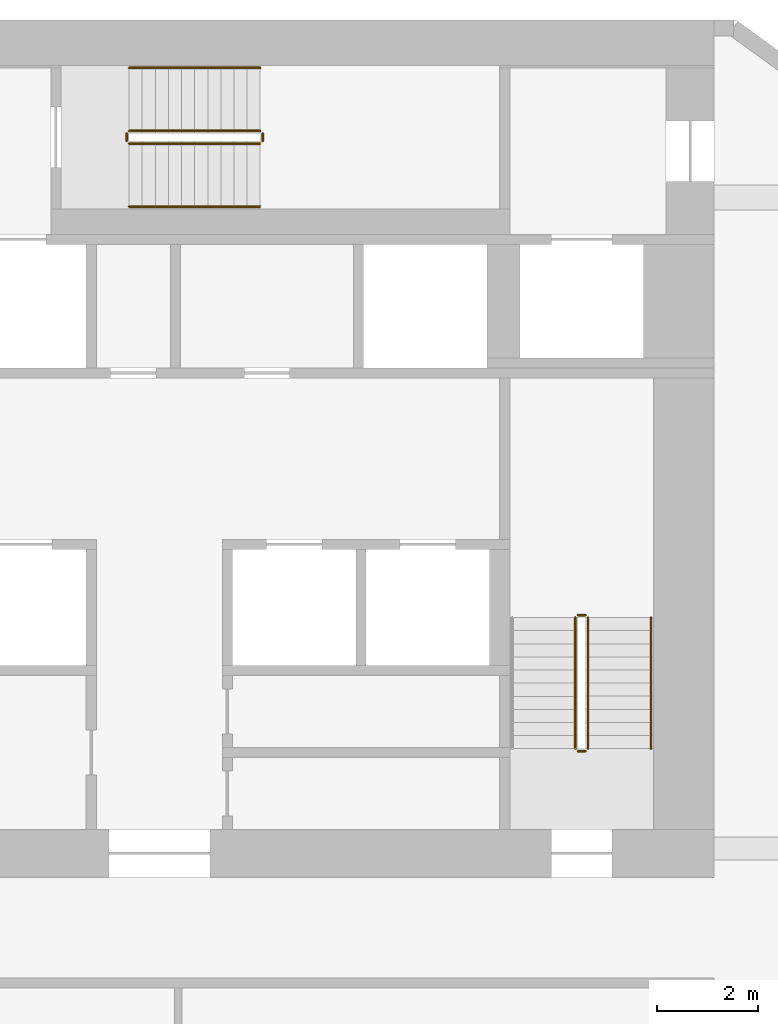
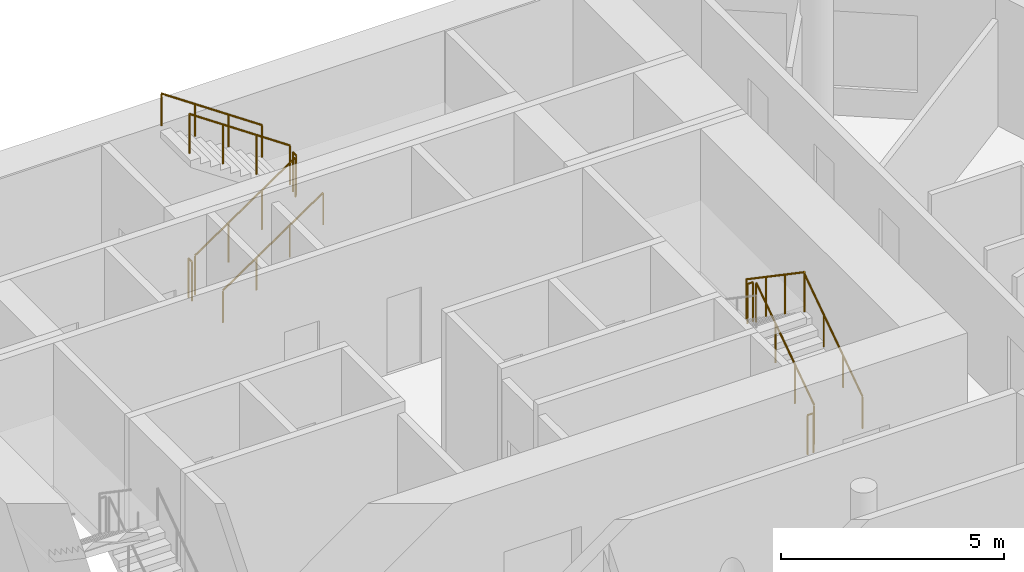
# One storey, part 9 of 9: 11 railings.
"""IFC4 building model written with IfcOpenShell, lengths in metres."""

from ifc_helpers import new_model, si_unit, direction, frame, origin, origin_2d, place, context, subcontext, project, spatial, circle, extrude, material, type_object, element, save


model = new_model("IFC4")

# Units and contexts
model_context = context("Model", 3, precision=1e-05, world=origin(), true_north=direction((0.0, 1.0)))
body_context = subcontext(model_context, "Body", "Model", "MODEL_VIEW")
ifc_project = project(units=[si_unit("LENGTHUNIT", "METRE"), si_unit("AREAUNIT", "SQUARE_METRE"), si_unit("VOLUMEUNIT", "CUBIC_METRE"), si_unit("PLANEANGLEUNIT", "RADIAN"), si_unit("MASSUNIT", "GRAM", prefix="KILO")], contexts=[model_context])

# Site, building, storey
site_placement = place(None, origin())
site = spatial("IfcSite", under=ifc_project, at=site_placement, CompositionType="ELEMENT")
building_placement = place(site_placement, origin())
building = spatial("IfcBuilding", under=site, at=building_placement, Name="White Candle Pilgrim Tower", CompositionType="ELEMENT")
storey_placement = place(building_placement, frame((0.0, 0.0, 164.199951171875)))
storey = spatial("IfcBuildingStorey", under=building, at=storey_placement, Name="L37", CompositionType="ELEMENT", Elevation=164.199951171875)

# Railings
ifc_material = material(Name="Stainless steel", Category="steel")
railing_type_1 = type_object("IfcRailingType", Name="Stair guard stainless steel 1100 mm", PredefinedType="GUARDRAIL", material=ifc_material)
railing_1_placement = place(storey_placement, frame((78.5, 73.550048828125, 0.17724609375)))
element("IfcRailing", 1, at=railing_1_placement, inside=storey, type_object=railing_type_1, Name="L37 ST2 stair guard 1", PredefinedType="GUARDRAIL", context=body_context, shape_type="SweptSolid", body=[
    extrude(circle(Radius=0.02392578125, at=origin_2d()), frame((0.0, 0.0, 1.076171875), z_axis=(0.0, 0.826215852431, 0.563353676824), x_axis=(-1.0, 0.0, 0.0)), (0.0, 0.0, 1.0), 3.146728515625),
    extrude(circle(Radius=0.02099609375, at=origin_2d()), origin(), (0.0, 0.0, 1.0), 1.052001953125),
    extrude(circle(Radius=0.02099609375, at=origin_2d()), frame((0.0, 0.86669921875, 0.5908203125)), (0.0, 0.0, 1.0), 1.052001953125),
    extrude(circle(Radius=0.02099609375, at=origin_2d()), frame((0.0, 1.733154296875, 1.181884765625)), (0.0, 0.0, 1.0), 1.052001953125),
    extrude(circle(Radius=0.02099609375, at=origin_2d()), frame((0.0, 2.599853515625, 1.772705078125)), (0.0, 0.0, 1.0), 1.052001953125),
])
railing_2_placement = place(storey_placement, frame((78.449951171875, 76.199951171875, 1.949951171875)))
element("IfcRailing", 2, at=railing_2_placement, inside=storey, type_object=railing_type_1, Name="L37 ST2 stair guard 2", PredefinedType="GUARDRAIL", context=body_context, shape_type="SweptSolid", body=[
    extrude(circle(Radius=0.02392578125, at=origin_2d()), frame((0.0, 0.0, 1.076171875), z_axis=(-1.0, 0.0, 0.0), x_axis=(0.0, -1.0, 0.0)), (0.0, 0.0, 1.0), 0.14990234375),
    extrude(circle(Radius=0.02099609375, at=origin_2d()), origin(), (0.0, 0.0, 1.0), 1.052001953125),
    extrude(circle(Radius=0.02099609375, at=origin_2d()), frame((-0.14990234375, 0.0, 0.0)), (0.0, 0.0, 1.0), 1.052001953125),
])
railing_3_placement = place(storey_placement, frame((78.25, 76.14990234375, 2.12744140625)))
element("IfcRailing", 3, at=railing_3_placement, inside=storey, type_object=railing_type_1, Name="L37 ST2 stair guard 3", PredefinedType="GUARDRAIL", context=body_context, shape_type="SweptSolid", body=[
    extrude(circle(Radius=0.02392578125, at=origin_2d()), frame((0.0, 0.0, 1.076171875), z_axis=(0.0, -0.826215852431, 0.563353676824), x_axis=(1.0, 0.0, 0.0)), (0.0, 0.0, 1.0), 3.146728515625),
    extrude(circle(Radius=0.02099609375, at=origin_2d()), origin(), (0.0, 0.0, 1.0), 1.052001953125),
    extrude(circle(Radius=0.02099609375, at=origin_2d()), frame((0.0, -0.86669921875, 0.5908203125)), (0.0, 0.0, 1.0), 1.052001953125),
    extrude(circle(Radius=0.02099609375, at=origin_2d()), frame((0.0, -1.733154296875, 1.181884765625)), (0.0, 0.0, 1.0), 1.052001953125),
    extrude(circle(Radius=0.02099609375, at=origin_2d()), frame((0.0, -2.599853515625, 1.772705078125)), (0.0, 0.0, 1.0), 1.052001953125),
])
railing_4_placement = place(storey_placement, frame((78.449951171875, 73.5, 0.0)))
element("IfcRailing", 4, at=railing_4_placement, inside=storey, type_object=railing_type_1, Name="L37 ST2 stair guard 4", PredefinedType="GUARDRAIL", context=body_context, shape_type="SweptSolid", body=[
    extrude(circle(Radius=0.02392578125, at=origin_2d()), frame((0.0, 0.0, 1.076171875), z_axis=(-1.0, 0.0, 0.0), x_axis=(0.0, -1.0, 0.0)), (0.0, 0.0, 1.0), 0.14990234375),
    extrude(circle(Radius=0.02099609375, at=origin_2d()), origin(), (0.0, 0.0, 1.0), 1.052001953125),
    extrude(circle(Radius=0.02099609375, at=origin_2d()), frame((-0.14990234375, 0.0, 0.0)), (0.0, 0.0, 1.0), 1.052001953125),
])
railing_5_placement = place(storey_placement, frame((69.39990234375, 85.550048828125, 0.17724609375)))
element("IfcRailing", 5, at=railing_5_placement, inside=storey, type_object=railing_type_1, Name="L37 ST3 stair guard 1", PredefinedType="GUARDRAIL", context=body_context, shape_type="SweptSolid", body=[
    extrude(circle(Radius=0.02392578125, at=origin_2d()), frame((0.0, 0.0, 1.076171875), z_axis=(0.826240473404, 0.0, 0.563317565952), x_axis=(0.0, 1.0, 0.0)), (0.0, 0.0, 1.0), 3.14697265625),
    extrude(circle(Radius=0.02099609375, at=origin_2d()), origin(), (0.0, 0.0, 1.0), 1.052001953125),
    extrude(circle(Radius=0.02099609375, at=origin_2d()), frame((0.86669921875, 0.0, 0.5908203125)), (0.0, 0.0, 1.0), 1.052001953125),
    extrude(circle(Radius=0.02099609375, at=origin_2d()), frame((1.7333984375, 0.0, 1.181884765625)), (0.0, 0.0, 1.0), 1.052001953125),
    extrude(circle(Radius=0.02099609375, at=origin_2d()), frame((2.60009765625, 0.0, 1.772705078125)), (0.0, 0.0, 1.0), 1.052001953125),
])
railing_6_placement = place(storey_placement, frame((72.050048828125, 85.60009765625, 1.949951171875)))
element("IfcRailing", 6, at=railing_6_placement, inside=storey, type_object=railing_type_1, Name="L37 ST3 stair guard 2", PredefinedType="GUARDRAIL", context=body_context, shape_type="SweptSolid", body=[
    extrude(circle(Radius=0.02392578125, at=origin_2d()), frame((0.0, 0.0, 1.076171875), z_axis=(0.0, 1.0, 0.0), x_axis=(-1.0, 0.0, 0.0)), (0.0, 0.0, 1.0), 0.14990234375),
    extrude(circle(Radius=0.02099609375, at=origin_2d()), origin(), (0.0, 0.0, 1.0), 1.052001953125),
    extrude(circle(Radius=0.02099609375, at=origin_2d()), frame((0.0, 0.14990234375, 0.0)), (0.0, 0.0, 1.0), 1.052001953125),
])
railing_7_placement = place(storey_placement, frame((72.0, 85.800048828125, 2.12744140625)))
element("IfcRailing", 7, at=railing_7_placement, inside=storey, type_object=railing_type_1, Name="L37 ST3 stair guard 3", PredefinedType="GUARDRAIL", context=body_context, shape_type="SweptSolid", body=[
    extrude(circle(Radius=0.02392578125, at=origin_2d()), frame((0.0, 0.0, 1.076171875), z_axis=(-0.826240473404, 0.0, 0.563317565952), x_axis=(0.0, -1.0, 0.0)), (0.0, 0.0, 1.0), 3.14697265625),
    extrude(circle(Radius=0.02099609375, at=origin_2d()), origin(), (0.0, 0.0, 1.0), 1.052001953125),
    extrude(circle(Radius=0.02099609375, at=origin_2d()), frame((-0.86669921875, 0.0, 0.5908203125)), (0.0, 0.0, 1.0), 1.052001953125),
    extrude(circle(Radius=0.02099609375, at=origin_2d()), frame((-1.7333984375, 0.0, 1.181884765625)), (0.0, 0.0, 1.0), 1.052001953125),
    extrude(circle(Radius=0.02099609375, at=origin_2d()), frame((-2.60009765625, 0.0, 1.772705078125)), (0.0, 0.0, 1.0), 1.052001953125),
])
railing_8_placement = place(storey_placement, frame((69.35009765625, 85.60009765625, 0.0)))
element("IfcRailing", 8, at=railing_8_placement, inside=storey, type_object=railing_type_1, Name="L37 ST3 stair guard 4", PredefinedType="GUARDRAIL", context=body_context, shape_type="SweptSolid", body=[
    extrude(circle(Radius=0.02392578125, at=origin_2d()), frame((0.0, 0.0, 1.076171875), z_axis=(0.0, 1.0, 0.0), x_axis=(-1.0, 0.0, 0.0)), (0.0, 0.0, 1.0), 0.14990234375),
    extrude(circle(Radius=0.02099609375, at=origin_2d()), origin(), (0.0, 0.0, 1.0), 1.052001953125),
    extrude(circle(Radius=0.02099609375, at=origin_2d()), frame((0.0, 0.14990234375, 0.0)), (0.0, 0.0, 1.0), 1.052001953125),
])
railing_type_2 = type_object("IfcRailingType", Name="Stair handrail stainless steel", PredefinedType="HANDRAIL", material=ifc_material)
railing_9_placement = place(storey_placement, frame((79.75, 73.550048828125, 0.17724609375)))
element("IfcRailing", 9, at=railing_9_placement, inside=storey, type_object=railing_type_2, Name="L37 ST2 stair handrail 1", PredefinedType="HANDRAIL", context=body_context, shape_type="SweptSolid", body=[
    extrude(circle(Radius=0.02392578125, at=origin_2d()), frame((0.0, 0.0, 0.8759765625), z_axis=(0.0, 0.826215852431, 0.563353676824), x_axis=(-1.0, 0.0, 0.0)), (0.0, 0.0, 1.0), 3.146728515625),
    extrude(circle(Radius=0.02099609375, at=origin_2d()), origin(), (0.0, 0.0, 1.0), 0.851806640625),
    extrude(circle(Radius=0.02099609375, at=origin_2d()), frame((0.0, 0.86669921875, 0.5908203125)), (0.0, 0.0, 1.0), 0.851806640625),
    extrude(circle(Radius=0.02099609375, at=origin_2d()), frame((0.0, 1.733154296875, 1.181884765625)), (0.0, 0.0, 1.0), 0.851806640625),
    extrude(circle(Radius=0.02099609375, at=origin_2d()), frame((0.0, 2.599853515625, 1.772705078125)), (0.0, 0.0, 1.0), 0.851806640625),
])
railing_10_placement = place(storey_placement, frame((69.39990234375, 84.300048828125, 0.17724609375)))
element("IfcRailing", 10, at=railing_10_placement, inside=storey, type_object=railing_type_2, Name="L37 ST3 stair handrail 1", PredefinedType="HANDRAIL", context=body_context, shape_type="SweptSolid", body=[
    extrude(circle(Radius=0.02392578125, at=origin_2d()), frame((0.0, 0.0, 0.8759765625), z_axis=(0.826240473404, 0.0, 0.563317565952), x_axis=(0.0, 1.0, 0.0)), (0.0, 0.0, 1.0), 3.14697265625),
    extrude(circle(Radius=0.02099609375, at=origin_2d()), origin(), (0.0, 0.0, 1.0), 0.851806640625),
    extrude(circle(Radius=0.02099609375, at=origin_2d()), frame((0.86669921875, 0.0, 0.5908203125)), (0.0, 0.0, 1.0), 0.851806640625),
    extrude(circle(Radius=0.02099609375, at=origin_2d()), frame((1.7333984375, 0.0, 1.181884765625)), (0.0, 0.0, 1.0), 0.851806640625),
    extrude(circle(Radius=0.02099609375, at=origin_2d()), frame((2.60009765625, 0.0, 1.772705078125)), (0.0, 0.0, 1.0), 0.851806640625),
])
railing_11_placement = place(storey_placement, frame((72.0, 87.050048828125, 2.12744140625)))
element("IfcRailing", 11, at=railing_11_placement, inside=storey, type_object=railing_type_2, Name="L37 ST3 stair handrail 2", PredefinedType="HANDRAIL", context=body_context, shape_type="SweptSolid", body=[
    extrude(circle(Radius=0.02392578125, at=origin_2d()), frame((0.0, 0.0, 0.8759765625), z_axis=(-0.826240473404, 0.0, 0.563317565952), x_axis=(0.0, -1.0, 0.0)), (0.0, 0.0, 1.0), 3.14697265625),
    extrude(circle(Radius=0.02099609375, at=origin_2d()), origin(), (0.0, 0.0, 1.0), 0.851806640625),
    extrude(circle(Radius=0.02099609375, at=origin_2d()), frame((-0.86669921875, 0.0, 0.5908203125)), (0.0, 0.0, 1.0), 0.851806640625),
    extrude(circle(Radius=0.02099609375, at=origin_2d()), frame((-1.7333984375, 0.0, 1.181884765625)), (0.0, 0.0, 1.0), 0.851806640625),
    extrude(circle(Radius=0.02099609375, at=origin_2d()), frame((-2.60009765625, 0.0, 1.772705078125)), (0.0, 0.0, 1.0), 0.851806640625),
])

save(model, "model.ifc")
